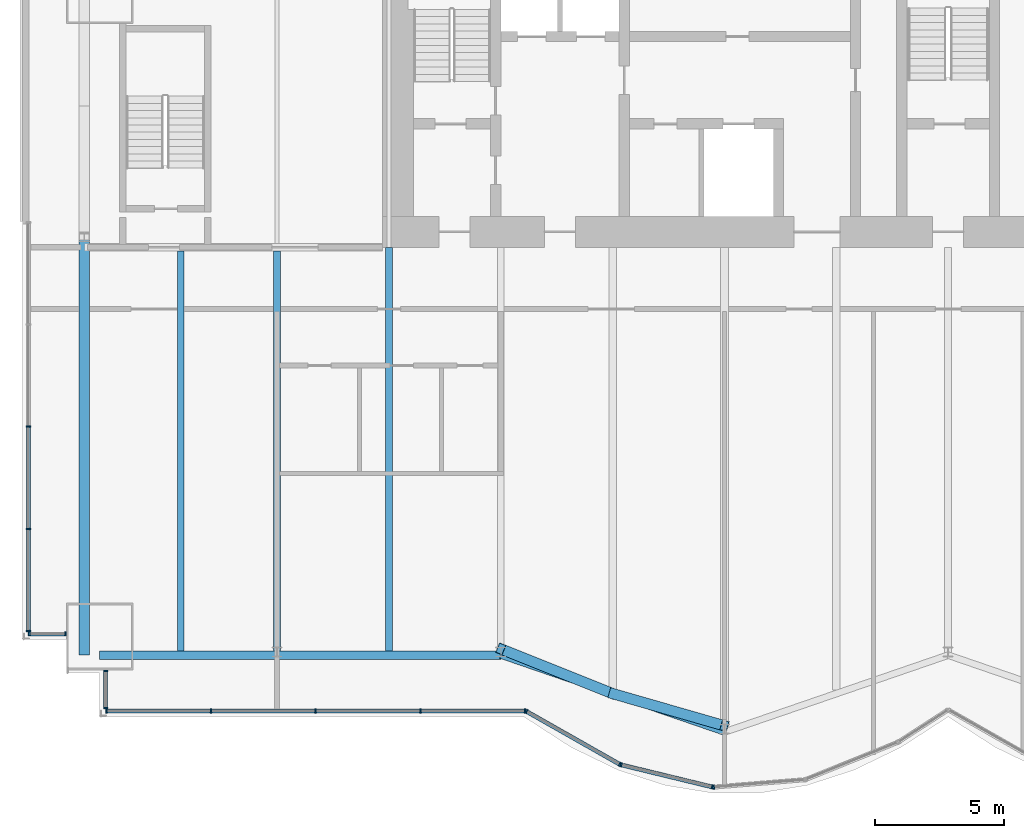
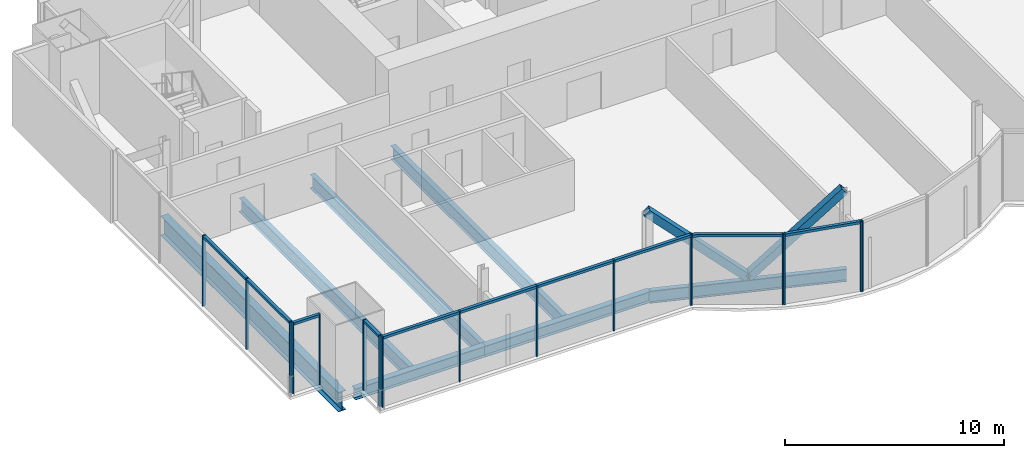
# One storey, part 5 of 20: 29 members, 7 beams, 5 elements without a shape of their own.
"""IFC4 building model written with IfcOpenShell, lengths in metres."""

from ifc_helpers import new_model, si_unit, direction, frame, origin, origin_2d, place, context, subcontext, project, spatial, rectangle, hollow_rectangle, i_section, extrude, material, material_profile, profile_set, type_object, element, aggregate, save


model = new_model("IFC4")

# Units and contexts
model_context = context("Model", 3, precision=1e-05, world=origin(), true_north=direction((0.0, 1.0)))
body_context = subcontext(model_context, "Body", "Model", "MODEL_VIEW")
ifc_project = project(units=[si_unit("LENGTHUNIT", "METRE"), si_unit("AREAUNIT", "SQUARE_METRE"), si_unit("VOLUMEUNIT", "CUBIC_METRE"), si_unit("PLANEANGLEUNIT", "RADIAN"), si_unit("MASSUNIT", "GRAM", prefix="KILO")], contexts=[model_context])

# Site, building, storey
site_placement = place(None, origin())
site = spatial("IfcSite", under=ifc_project, at=site_placement, CompositionType="ELEMENT")
building_placement = place(site_placement, origin())
building = spatial("IfcBuilding", under=site, at=building_placement, Name="Bicima Exchange Tower", CompositionType="ELEMENT")
storey_placement = place(building_placement, frame((0.0, 0.0, 223.699951171875)))
storey = spatial("IfcBuildingStorey", under=building, at=storey_placement, Name="L50", CompositionType="ELEMENT", Elevation=223.699951171875)

# Curtain wall, members
ifc_material_1 = material(Name="Anodised bronze aluminium", Category="aluminium")
curtain_wall_type_1 = type_object("IfcCurtainWallType", Name="End face glass wall", PredefinedType="NOTDEFINED", material=ifc_material_1)
curtain_wall_1_placement = place(storey_placement, origin())
curtain_wall_1 = element("IfcCurtainWall", 1, at=curtain_wall_1_placement, inside=storey, type_object=curtain_wall_type_1, Name="End face glass wall L50 run 2", PredefinedType="NOTDEFINED")
ifc_material_profile_1 = material_profile(ifc_material_1, rectangle(XDim=0.159912109375, YDim=0.06005859375, at=origin_2d()))
ifc_profile_set_1 = profile_set([ifc_material_profile_1], Name="Anodised bronze aluminium")
member_type_1 = type_object("IfcMemberType", Name="End face glass wall mullion 60 x 160", PredefinedType="MULLION", material=ifc_profile_set_1)
member_1_placement = place(storey_placement, frame((-35.77001953125, -19.97705078125, 0.0), z_axis=(0.0, 0.0, 1.0), x_axis=(1.0, 0.0, 0.0)))
member_1 = element("IfcMember", 2, at=member_1_placement, type_object=member_type_1, Name="End face glass wall mullion 3", PredefinedType="MULLION", context=body_context, shape_type="SweptSolid", body=[
    extrude(rectangle(XDim=0.159912109375, YDim=0.06005859375, at=origin_2d()), origin(), (0.0, 0.0, 1.0), 3.949951171875),
])
member_2_placement = place(storey_placement, frame((-35.77001953125, -23.950439453125, 0.0), z_axis=(0.0, 0.0, 1.0), x_axis=(1.0, 0.0, 0.0)))
member_2 = element("IfcMember", 3, at=member_2_placement, type_object=member_type_1, Name="End face glass wall mullion 4", PredefinedType="MULLION", context=body_context, shape_type="SweptSolid", body=[
    extrude(rectangle(XDim=0.159912109375, YDim=0.06005859375, at=origin_2d()), origin(), (0.0, 0.0, 1.0), 3.949951171875),
])
member_3_placement = place(storey_placement, frame((-35.77001953125, -27.924072265625, 0.0), z_axis=(0.0, 0.0, 1.0), x_axis=(1.0, 0.0, 0.0)))
member_3 = element("IfcMember", 4, at=member_3_placement, type_object=member_type_1, Name="End face glass wall mullion 5", PredefinedType="MULLION", context=body_context, shape_type="SweptSolid", body=[
    extrude(rectangle(XDim=0.159912109375, YDim=0.06005859375, at=origin_2d()), origin(), (0.0, 0.0, 1.0), 3.949951171875),
])
ifc_material_profile_2 = material_profile(ifc_material_1, rectangle(XDim=0.159912109375, YDim=0.139892578125, at=origin_2d()))
ifc_profile_set_2 = profile_set([ifc_material_profile_2], Name="Anodised bronze aluminium")
member_type_2 = type_object("IfcMemberType", Name="End face glass wall transom 140 x 160", PredefinedType="USERDEFINED", material=ifc_profile_set_2)
member_4_placement = place(storey_placement, frame((-35.77001953125, -20.007080078125, 3.880126953125), z_axis=(0.0, -1.0, 0.0), x_axis=(1.0, 0.0, 0.0)))
member_4 = element("IfcMember", 5, at=member_4_placement, type_object=member_type_2, Name="End face glass wall transom 3.1", ObjectType="TRANSOM", PredefinedType="USERDEFINED", context=body_context, shape_type="SweptSolid", body=[
    extrude(rectangle(XDim=0.159912109375, YDim=0.139892578125, at=origin_2d()), origin(), (0.0, 0.0, 1.0), 3.913330078125),
])
member_5_placement = place(storey_placement, frame((-35.77001953125, -23.98046875, 3.880126953125), z_axis=(0.0, -1.0, 0.0), x_axis=(1.0, 0.0, 0.0)))
member_5 = element("IfcMember", 6, at=member_5_placement, type_object=member_type_2, Name="End face glass wall transom 4.1", ObjectType="TRANSOM", PredefinedType="USERDEFINED", context=body_context, shape_type="SweptSolid", body=[
    extrude(rectangle(XDim=0.159912109375, YDim=0.139892578125, at=origin_2d()), origin(), (0.0, 0.0, 1.0), 3.91357421875),
])
aggregate(curtain_wall_1, [member_1, member_2, member_3, member_4, member_5])

# Beams
ifc_material_2 = material(Name="Steel ASTM A992 Gr 50", Category="steel")
ifc_material_profile_3 = material_profile(ifc_material_2, i_section(OverallWidth=0.4013671875, OverallDepth=1.089599609375, WebThickness=0.01806640625, FlangeThickness=0.031005859375, at=origin_2d()))
ifc_profile_set_3 = profile_set([ifc_material_profile_3], Name="Steel ASTM A992 Gr 50")
beam_type_1 = type_object("IfcBeamType", Name="End girder W44x230", PredefinedType="BEAM", material=ifc_profile_set_3)
beam_1_placement = place(storey_placement, frame((-33.60009765625, -12.60009765625, -0.69482421875), z_axis=(0.0, -1.0, 0.0), x_axis=(1.0, 0.0, 0.0)))
element("IfcBeam", 7, at=beam_1_placement, inside=storey, type_object=beam_type_1, Name="End girder", PredefinedType="BEAM", context=body_context, shape_type="SweptSolid", body=[
    extrude(i_section(OverallWidth=0.4013671875, OverallDepth=1.089599609375, WebThickness=0.01806640625, FlangeThickness=0.031005859375, at=origin_2d()), origin(), (0.0, 0.0, 1.0), 16.263916015625),
])
ifc_material_profile_4 = material_profile(ifc_material_2, i_section(OverallWidth=0.2666015625, OverallDepth=0.75439453125, WebThickness=0.01318359375, FlangeThickness=0.01708984375, at=origin_2d()))
ifc_profile_set_4 = profile_set([ifc_material_profile_4], Name="Steel ASTM A992 Gr 50")
beam_type_2 = type_object("IfcBeamType", Name="Floor beam W30x99", PredefinedType="JOIST", material=ifc_profile_set_4)
for number, where, z_axis, x_axis, name in (
    (8, (-29.85009765625, -13.15234375, -0.527099609375), (0.0, -1.0, 0.0), (1.0, 0.0, 0.0), "Floor beam"),
    (9, (-26.10009765625, -13.15234375, -0.527099609375), (0.0, -1.0, 0.0), (1.0, 0.0, 0.0), "Floor beam"),
):
    element("IfcBeam", number, at=place(storey_placement, frame(where, z_axis=z_axis, x_axis=x_axis)), inside=storey, type_object=beam_type_2, Name=name, PredefinedType="JOIST", context=body_context, shape_type="SweptSolid", body=[
        extrude(i_section(OverallWidth=0.2666015625, OverallDepth=0.75439453125, WebThickness=0.01318359375, FlangeThickness=0.01708984375, at=origin_2d()), origin(), (0.0, 0.0, 1.0), 15.549072265625),
    ])
beam_2_placement = place(storey_placement, frame((-21.75, -13.0, -0.527099609375), z_axis=(0.0, -1.0, 0.0), x_axis=(1.0, 0.0, 0.0)))
element("IfcBeam", 10, at=beam_2_placement, inside=storey, type_object=beam_type_2, Name="Floor beam", PredefinedType="JOIST", context=body_context, shape_type="SweptSolid", body=[
    extrude(i_section(OverallWidth=0.2666015625, OverallDepth=0.75439453125, WebThickness=0.01318359375, FlangeThickness=0.01708984375, at=origin_2d()), origin(), (0.0, 0.0, 1.0), 15.701416015625),
])
ifc_material_profile_5 = material_profile(ifc_material_2, i_section(OverallWidth=0.3251953125, OverallDepth=0.612060546875, WebThickness=0.0126953125, FlangeThickness=0.01904296875, at=origin_2d()))
ifc_profile_set_5 = profile_set([ifc_material_profile_5], Name="Steel ASTM A992 Gr 50")
beam_type_3 = type_object("IfcBeamType", Name="Front girder W24x104", PredefinedType="BEAM", material=ifc_profile_set_5)
beam_3_placement = place(storey_placement, frame((-33.0, -28.864013671875, -0.4560546875), z_axis=(1.0, 0.0, 0.0), x_axis=(0.0, 1.0, 0.0)))
element("IfcBeam", 11, at=beam_3_placement, inside=storey, type_object=beam_type_3, Name="Front girder", PredefinedType="BEAM", context=body_context, shape_type="SweptSolid", body=[
    extrude(i_section(OverallWidth=0.3251953125, OverallDepth=0.612060546875, WebThickness=0.0126953125, FlangeThickness=0.01904296875, at=origin_2d()), origin(), (0.0, 0.0, 1.0), 6.89990234375),
])
beam_4_placement = place(storey_placement, frame((-26.10009765625, -28.864013671875, -0.4560546875), z_axis=(1.0, 0.0, 0.0), x_axis=(0.0, 1.0, 0.0)))
element("IfcBeam", 12, at=beam_4_placement, inside=storey, type_object=beam_type_3, Name="Front girder", PredefinedType="BEAM", context=body_context, shape_type="SweptSolid", body=[
    extrude(i_section(OverallWidth=0.3251953125, OverallDepth=0.612060546875, WebThickness=0.0126953125, FlangeThickness=0.01904296875, at=origin_2d()), origin(), (0.0, 0.0, 1.0), 8.7001953125),
])
ifc_material_profile_6 = material_profile(ifc_material_2, i_section(OverallWidth=0.256591796875, OverallDepth=0.693359375, WebThickness=0.014404296875, FlangeThickness=0.023681640625, at=origin_2d()))
ifc_profile_set_6 = profile_set([ifc_material_profile_6], Name="Steel ASTM A992 Gr 50")
beam_type_4 = type_object("IfcBeamType", Name="Front girder W27x114", PredefinedType="BEAM", material=ifc_profile_set_6)
beam_5_placement = place(storey_placement, frame((-17.39990234375, -28.864013671875, -0.49658203125), z_axis=(0.945674616091, -0.32511462668, 0.0), x_axis=(0.32511462668, 0.945674616091, 0.0)))
element("IfcBeam", 13, at=beam_5_placement, inside=storey, type_object=beam_type_4, Name="Front girder", PredefinedType="BEAM", context=body_context, shape_type="SweptSolid", body=[
    extrude(i_section(OverallWidth=0.256591796875, OverallDepth=0.693359375, WebThickness=0.014404296875, FlangeThickness=0.023681640625, at=origin_2d()), origin(), (0.0, 0.0, 1.0), 9.19970703125),
])

# Curtain wall, members
curtain_wall_type_2 = type_object("IfcCurtainWallType", Name="Front glass wall", PredefinedType="NOTDEFINED", material=ifc_material_1)
curtain_wall_2_placement = place(storey_placement, origin())
curtain_wall_2 = element("IfcCurtainWall", 14, at=curtain_wall_2_placement, inside=storey, type_object=curtain_wall_type_2, Name="Front glass wall L50 run 3", PredefinedType="NOTDEFINED")
member_type_3 = type_object("IfcMemberType", Name="Front glass wall mullion 60 x 160", PredefinedType="MULLION", material=ifc_profile_set_1)
member_6_placement = place(storey_placement, frame((-35.739990234375, -28.033935546875, 0.0), z_axis=(0.0, 0.0, 1.0), x_axis=(0.0, 1.0, 0.0)))
member_6 = element("IfcMember", 15, at=member_6_placement, type_object=member_type_3, Name="Front glass wall mullion 1", PredefinedType="MULLION", context=body_context, shape_type="SweptSolid", body=[
    extrude(rectangle(XDim=0.159912109375, YDim=0.06005859375, at=origin_2d()), origin(), (0.0, 0.0, 1.0), 3.949951171875),
])
member_7_placement = place(storey_placement, frame((-34.330078125, -28.033935546875, 0.0), z_axis=(0.0, 0.0, 1.0), x_axis=(0.0, 1.0, 0.0)))
member_7 = element("IfcMember", 16, at=member_7_placement, type_object=member_type_3, Name="Front glass wall mullion 2", PredefinedType="MULLION", context=body_context, shape_type="SweptSolid", body=[
    extrude(rectangle(XDim=0.159912109375, YDim=0.06005859375, at=origin_2d()), origin(), (0.0, 0.0, 1.0), 3.949951171875),
])

curtain_wall_3_placement = place(storey_placement, origin())
curtain_wall_3 = element("IfcCurtainWall", 17, at=curtain_wall_3_placement, inside=storey, type_object=curtain_wall_type_2, Name="Front glass wall L50 run 4", PredefinedType="NOTDEFINED")
member_8_placement = place(storey_placement, frame((-32.77001953125, -29.471923828125, 0.0), z_axis=(0.0, 0.0, 1.0), x_axis=(1.0, 0.0, 0.0)))
member_8 = element("IfcMember", 18, at=member_8_placement, type_object=member_type_3, Name="Front glass wall mullion 1", PredefinedType="MULLION", context=body_context, shape_type="SweptSolid", body=[
    extrude(rectangle(XDim=0.159912109375, YDim=0.06005859375, at=origin_2d()), origin(), (0.0, 0.0, 1.0), 3.949951171875),
])
member_9_placement = place(storey_placement, frame((-32.77001953125, -30.924072265625, 0.0), z_axis=(0.0, 0.0, 1.0), x_axis=(1.0, 0.0, 0.0)))
member_9 = element("IfcMember", 19, at=member_9_placement, type_object=member_type_3, Name="Front glass wall mullion 2", PredefinedType="MULLION", context=body_context, shape_type="SweptSolid", body=[
    extrude(rectangle(XDim=0.159912109375, YDim=0.06005859375, at=origin_2d()), origin(), (0.0, 0.0, 1.0), 3.949951171875),
])

curtain_wall_4_placement = place(storey_placement, origin())
curtain_wall_4 = element("IfcCurtainWall", 20, at=curtain_wall_4_placement, inside=storey, type_object=curtain_wall_type_2, Name="Front glass wall L50 run 5", PredefinedType="NOTDEFINED")
member_10_placement = place(storey_placement, frame((-32.739990234375, -31.033935546875, 0.0), z_axis=(0.0, 0.0, 1.0), x_axis=(0.0, 1.0, 0.0)))
member_10 = element("IfcMember", 21, at=member_10_placement, type_object=member_type_3, Name="Front glass wall mullion 1", PredefinedType="MULLION", context=body_context, shape_type="SweptSolid", body=[
    extrude(rectangle(XDim=0.159912109375, YDim=0.06005859375, at=origin_2d()), origin(), (0.0, 0.0, 1.0), 3.949951171875),
])
member_11_placement = place(storey_placement, frame((-28.67041015625, -31.033935546875, 0.0), z_axis=(0.0, 0.0, 1.0), x_axis=(0.0, 1.0, 0.0)))
member_11 = element("IfcMember", 22, at=member_11_placement, type_object=member_type_3, Name="Front glass wall mullion 2", PredefinedType="MULLION", context=body_context, shape_type="SweptSolid", body=[
    extrude(rectangle(XDim=0.159912109375, YDim=0.06005859375, at=origin_2d()), origin(), (0.0, 0.0, 1.0), 3.949951171875),
])
member_12_placement = place(storey_placement, frame((-24.60107421875, -31.033935546875, 0.0), z_axis=(0.0, 0.0, 1.0), x_axis=(0.0, 1.0, 0.0)))
member_12 = element("IfcMember", 23, at=member_12_placement, type_object=member_type_3, Name="Front glass wall mullion 3", PredefinedType="MULLION", context=body_context, shape_type="SweptSolid", body=[
    extrude(rectangle(XDim=0.159912109375, YDim=0.06005859375, at=origin_2d()), origin(), (0.0, 0.0, 1.0), 3.949951171875),
])
member_13_placement = place(storey_placement, frame((-20.531494140625, -31.033935546875, 0.0), z_axis=(0.0, 0.0, 1.0), x_axis=(0.0, 1.0, 0.0)))
member_13 = element("IfcMember", 24, at=member_13_placement, type_object=member_type_3, Name="Front glass wall mullion 4", PredefinedType="MULLION", context=body_context, shape_type="SweptSolid", body=[
    extrude(rectangle(XDim=0.159912109375, YDim=0.06005859375, at=origin_2d()), origin(), (0.0, 0.0, 1.0), 3.949951171875),
])
member_14_placement = place(storey_placement, frame((-16.462158203125, -31.033935546875, 0.0), z_axis=(0.0, 0.0, 1.0), x_axis=(0.0, 1.0, 0.0)))
member_14 = element("IfcMember", 25, at=member_14_placement, type_object=member_type_3, Name="Front glass wall mullion 5", PredefinedType="MULLION", context=body_context, shape_type="SweptSolid", body=[
    extrude(rectangle(XDim=0.159912109375, YDim=0.06005859375, at=origin_2d()), origin(), (0.0, 0.0, 1.0), 3.949951171875),
])

curtain_wall_5_placement = place(storey_placement, origin())
curtain_wall_5 = element("IfcCurtainWall", 26, at=curtain_wall_5_placement, inside=storey, type_object=curtain_wall_type_2, Name="Front glass wall L50 run 6", PredefinedType="NOTDEFINED")
member_15_placement = place(storey_placement, frame((-16.406005859375, -31.048828125, 0.0), z_axis=(0.0, 0.0, 1.0), x_axis=(0.493395449343, 0.869805110681, 0.0)))
member_15 = element("IfcMember", 27, at=member_15_placement, type_object=member_type_3, Name="Front glass wall mullion 1", PredefinedType="MULLION", context=body_context, shape_type="SweptSolid", body=[
    extrude(rectangle(XDim=0.159912109375, YDim=0.06005859375, at=origin_2d()), origin(), (0.0, 0.0, 1.0), 3.949951171875),
])
member_16_placement = place(storey_placement, frame((-12.7734375, -33.109375, 0.0), z_axis=(0.0, 0.0, 1.0), x_axis=(0.493395449343, 0.869805110681, 0.0)))
member_16 = element("IfcMember", 28, at=member_16_placement, type_object=member_type_3, Name="Front glass wall mullion 2", PredefinedType="MULLION", context=body_context, shape_type="SweptSolid", body=[
    extrude(rectangle(XDim=0.159912109375, YDim=0.06005859375, at=origin_2d()), origin(), (0.0, 0.0, 1.0), 3.949951171875),
])
member_17_placement = place(storey_placement, frame((-12.718017578125, -33.13134765625, 0.0), z_axis=(0.0, 0.0, 1.0), x_axis=(0.235681529503, 0.971830343553, 0.0)))
member_17 = element("IfcMember", 29, at=member_17_placement, type_object=member_type_3, Name="Front glass wall mullion 1", PredefinedType="MULLION", context=body_context, shape_type="SweptSolid", body=[
    extrude(rectangle(XDim=0.159912109375, YDim=0.06005859375, at=origin_2d()), origin(), (0.0, 0.0, 1.0), 3.949951171875),
])
member_18_placement = place(storey_placement, frame((-9.177490234375, -33.989990234375, 0.0), z_axis=(0.0, 0.0, 1.0), x_axis=(0.235681529503, 0.971830343553, 0.0)))
member_18 = element("IfcMember", 30, at=member_18_placement, type_object=member_type_3, Name="Front glass wall mullion 2", PredefinedType="MULLION", context=body_context, shape_type="SweptSolid", body=[
    extrude(rectangle(XDim=0.159912109375, YDim=0.06005859375, at=origin_2d()), origin(), (0.0, 0.0, 1.0), 3.949951171875),
])
member_19_placement = place(storey_placement, frame((-9.118408203125, -33.99462890625, 0.0), z_axis=(0.0, 0.0, 1.0), x_axis=(-0.080588612633, 0.99674744821, 0.0)))
member_19 = element("IfcMember", 31, at=member_19_placement, type_object=member_type_3, Name="Front glass wall mullion 1", PredefinedType="MULLION", context=body_context, shape_type="SweptSolid", body=[
    extrude(rectangle(XDim=0.159912109375, YDim=0.06005859375, at=origin_2d()), origin(), (0.0, 0.0, 1.0), 3.949951171875),
])

# Member
member_type_4 = type_object("IfcMemberType", Name="Front glass wall transom 140 x 160", PredefinedType="USERDEFINED", material=ifc_profile_set_2)
member_20_placement = place(storey_placement, frame((-35.7099609375, -28.033935546875, 3.880126953125), z_axis=(1.0, 0.0, 0.0), x_axis=(0.0, 1.0, 0.0)))
member_20 = element("IfcMember", 32, at=member_20_placement, type_object=member_type_4, Name="Front glass wall transom 1.1", ObjectType="TRANSOM", PredefinedType="USERDEFINED", context=body_context, shape_type="SweptSolid", body=[
    extrude(rectangle(XDim=0.159912109375, YDim=0.139892578125, at=origin_2d()), origin(), (0.0, 0.0, 1.0), 1.349853515625),
])

aggregate(curtain_wall_2, [member_6, member_7, member_20])

member_21_placement = place(storey_placement, frame((-32.77001953125, -29.501953125, 3.880126953125), z_axis=(0.0, -1.0, 0.0), x_axis=(1.0, 0.0, 0.0)))
member_21 = element("IfcMember", 33, at=member_21_placement, type_object=member_type_4, Name="Front glass wall transom 1.1", ObjectType="TRANSOM", PredefinedType="USERDEFINED", context=body_context, shape_type="SweptSolid", body=[
    extrude(rectangle(XDim=0.159912109375, YDim=0.139892578125, at=origin_2d()), origin(), (0.0, 0.0, 1.0), 1.39208984375),
])

aggregate(curtain_wall_3, [member_8, member_9, member_21])

member_22_placement = place(storey_placement, frame((-32.7099609375, -31.033935546875, 3.880126953125), z_axis=(1.0, 0.0, 0.0), x_axis=(0.0, 1.0, 0.0)))
member_22 = element("IfcMember", 34, at=member_22_placement, type_object=member_type_4, Name="Front glass wall transom 1.1", ObjectType="TRANSOM", PredefinedType="USERDEFINED", context=body_context, shape_type="SweptSolid", body=[
    extrude(rectangle(XDim=0.159912109375, YDim=0.139892578125, at=origin_2d()), origin(), (0.0, 0.0, 1.0), 4.009521484375),
])

member_23_placement = place(storey_placement, frame((-28.640380859375, -31.033935546875, 3.880126953125), z_axis=(1.0, 0.0, 0.0), x_axis=(0.0, 1.0, 0.0)))
member_23 = element("IfcMember", 35, at=member_23_placement, type_object=member_type_4, Name="Front glass wall transom 2.1", ObjectType="TRANSOM", PredefinedType="USERDEFINED", context=body_context, shape_type="SweptSolid", body=[
    extrude(rectangle(XDim=0.159912109375, YDim=0.139892578125, at=origin_2d()), origin(), (0.0, 0.0, 1.0), 4.00927734375),
])

member_24_placement = place(storey_placement, frame((-24.571044921875, -31.033935546875, 3.880126953125), z_axis=(1.0, 0.0, 0.0), x_axis=(0.0, 1.0, 0.0)))
member_24 = element("IfcMember", 36, at=member_24_placement, type_object=member_type_4, Name="Front glass wall transom 3.1", ObjectType="TRANSOM", PredefinedType="USERDEFINED", context=body_context, shape_type="SweptSolid", body=[
    extrude(rectangle(XDim=0.159912109375, YDim=0.139892578125, at=origin_2d()), origin(), (0.0, 0.0, 1.0), 4.009521484375),
])

member_25_placement = place(storey_placement, frame((-20.501708984375, -31.033935546875, 3.880126953125), z_axis=(1.0, 0.0, 0.0), x_axis=(0.0, 1.0, 0.0)))
member_25 = element("IfcMember", 37, at=member_25_placement, type_object=member_type_4, Name="Front glass wall transom 4.1", ObjectType="TRANSOM", PredefinedType="USERDEFINED", context=body_context, shape_type="SweptSolid", body=[
    extrude(rectangle(XDim=0.159912109375, YDim=0.139892578125, at=origin_2d()), origin(), (0.0, 0.0, 1.0), 4.009521484375),
])

aggregate(curtain_wall_4, [member_10, member_11, member_12, member_13, member_14, member_22, member_23, member_24, member_25])

member_26_placement = place(storey_placement, frame((-16.3798828125, -31.063720703125, 3.880126953125), z_axis=(0.869822825615, -0.493364218443, 0.0), x_axis=(0.493364218443, 0.869822825615, 0.0)))
member_26 = element("IfcMember", 38, at=member_26_placement, type_object=member_type_4, Name="Front glass wall transom 1.1", ObjectType="TRANSOM", PredefinedType="USERDEFINED", context=body_context, shape_type="SweptSolid", body=[
    extrude(rectangle(XDim=0.159912109375, YDim=0.139892578125, at=origin_2d()), origin(), (0.0, 0.0, 1.0), 4.1162109375),
])

member_27_placement = place(storey_placement, frame((-12.68896484375, -33.13818359375, 3.880126953125), z_axis=(0.971817951661, -0.235732621477, 0.0), x_axis=(0.235732621477, 0.971817951661, 0.0)))
member_27 = element("IfcMember", 39, at=member_27_placement, type_object=member_type_4, Name="Front glass wall transom 1.1", ObjectType="TRANSOM", PredefinedType="USERDEFINED", context=body_context, shape_type="SweptSolid", body=[
    extrude(rectangle(XDim=0.159912109375, YDim=0.139892578125, at=origin_2d()), origin(), (0.0, 0.0, 1.0), 3.58349609375),
])

aggregate(curtain_wall_5, [member_15, member_16, member_26, member_17, member_18, member_27, member_19])

# Members
ifc_material_3 = material(Name="Steel ASTM A572 Gr 50", Category="steel")
ifc_material_profile_7 = material_profile(ifc_material_3, hollow_rectangle(XDim=0.406494140625, YDim=0.406494140625, WallThickness=0.0146484375, at=origin_2d()))
ifc_profile_set_7 = profile_set([ifc_material_profile_7], Name="Steel ASTM A572 Gr 50")
member_type_5 = type_object("IfcMemberType", Name="Mega brace HSS16x16x5/8", PredefinedType="BRACE", material=ifc_profile_set_7)
member_28_placement = place(storey_placement, frame((-13.050048828125, -30.359619140625, 0.0), z_axis=(0.712266893938, -0.204909647453, 0.671332933931), x_axis=(0.276473064615, 0.961021667052, 0.0)))
element("IfcMember", 40, at=member_28_placement, inside=storey, type_object=member_type_5, Name="Mega brace front", PredefinedType="BRACE", context=body_context, shape_type="SweptSolid", body=[
    extrude(hollow_rectangle(XDim=0.406494140625, YDim=0.406494140625, WallThickness=0.0146484375, at=origin_2d()), origin(), (0.0, 0.0, 1.0), 6.107421875),
])
member_29_placement = place(storey_placement, frame((-13.050048828125, -30.359619140625, 0.0), z_axis=(-0.69870612412, 0.279411861388, 0.658588463179), x_axis=(-0.371309808925, -0.928509033772, 0.0)))
element("IfcMember", 41, at=member_29_placement, inside=storey, type_object=member_type_5, Name="Mega brace front", PredefinedType="BRACE", context=body_context, shape_type="SweptSolid", body=[
    extrude(hollow_rectangle(XDim=0.406494140625, YDim=0.406494140625, WallThickness=0.0146484375, at=origin_2d()), origin(), (0.0, 0.0, 1.0), 6.2255859375),
])

save(model, "model.ifc")
